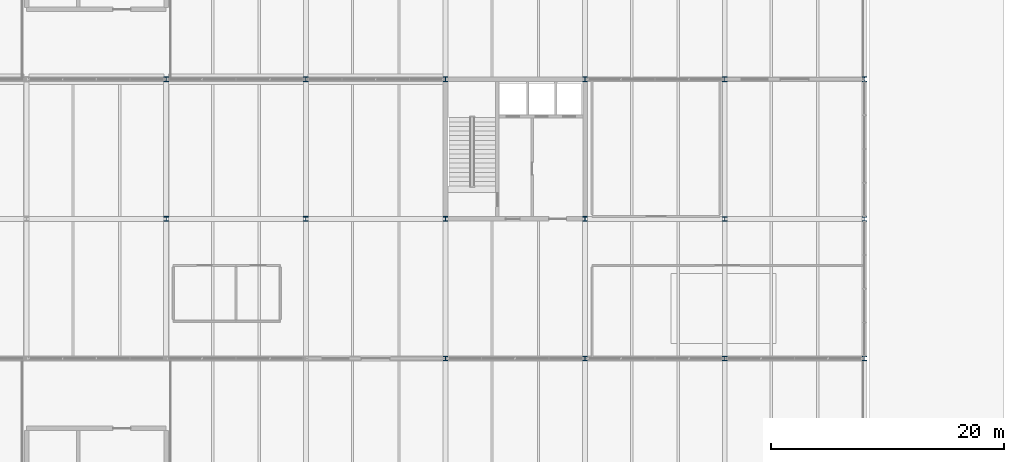
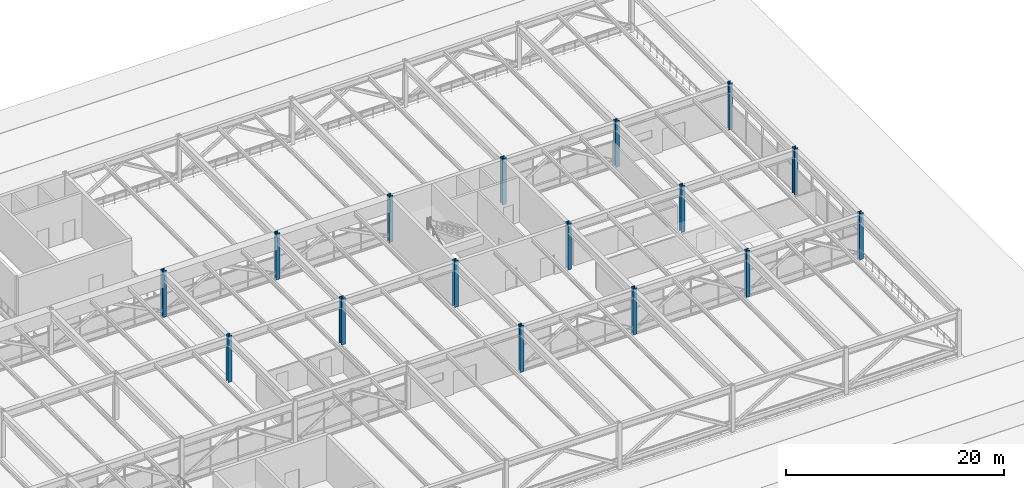
# One storey, part 3 of 42: 16 columns.
"""IFC4 building model written with IfcOpenShell, lengths in metres."""

from ifc_helpers import new_model, si_unit, direction, frame, origin, origin_2d, place, context, subcontext, project, spatial, i_section, extrude, material, material_profile, profile_set, type_object, element, save


model = new_model("IFC4")

# Units and contexts
model_context = context("Model", 3, precision=1e-05, world=origin(), true_north=direction((0.0, 1.0)))
body_context = subcontext(model_context, "Body", "Model", "MODEL_VIEW")
ifc_project = project(units=[si_unit("LENGTHUNIT", "METRE"), si_unit("AREAUNIT", "SQUARE_METRE"), si_unit("VOLUMEUNIT", "CUBIC_METRE"), si_unit("PLANEANGLEUNIT", "RADIAN"), si_unit("MASSUNIT", "GRAM", prefix="KILO")], contexts=[model_context])

# Site, building, storey
site_placement = place(None, origin())
site = spatial("IfcSite", under=ifc_project, at=site_placement, CompositionType="ELEMENT")
building_placement = place(site_placement, origin())
building = spatial("IfcBuilding", under=site, at=building_placement, Name="Girod Span Mobility Hub", CompositionType="ELEMENT")
storey_placement = place(building_placement, frame((0.0, 0.0, 32.39990234375)))
storey = spatial("IfcBuildingStorey", under=building, at=storey_placement, Name="L08", CompositionType="ELEMENT", Elevation=32.39990234375)

# Columns
ifc_material_1 = material(Name="Steel A992 Grade 50", Category="steel")
ifc_material_profile_1 = material_profile(ifc_material_1, i_section(OverallWidth=0.39892578125, OverallDepth=0.39306640625, WebThickness=0.022705078125, FlangeThickness=0.03662109375, FilletRadius=0.01806640625, at=origin_2d()), Name="W14X193")
ifc_profile_set_1 = profile_set([ifc_material_profile_1], Name="Steel A992 Grade 50")
column_type_1 = type_object("IfcColumnType", Name="COL-STL-W14X193", PredefinedType="COLUMN", material=ifc_profile_set_1)
for number, where, z_axis, x_axis, name in (
    (1, (132.0, 45.0, 0.0), (0.0, 0.0, 1.0), (1.0, 0.0, 0.0), "Column 12D L08"),
    (2, (132.0, 57.0, 0.0), (0.0, 0.0, 1.0), (1.0, 0.0, 0.0), "Column 12E L08"),
    (3, (132.0, 69.0, 0.0), (0.0, 0.0, 1.0), (1.0, 0.0, 0.0), "Column 12F L08"),
    (4, (144.0, 45.0, 0.0), (0.0, 0.0, 1.0), (1.0, 0.0, 0.0), "Column 13D L08"),
    (5, (144.0, 57.0, 0.0), (0.0, 0.0, 1.0), (1.0, 0.0, 0.0), "Column 13E L08"),
    (6, (144.0, 69.0, 0.0), (0.0, 0.0, 1.0), (1.0, 0.0, 0.0), "Column 13F L08"),
):
    element("IfcColumn", number, at=place(storey_placement, frame(where, z_axis=z_axis, x_axis=x_axis)), inside=storey, type_object=column_type_1, Name=name, PredefinedType="COLUMN", context=body_context, shape_type="SweptSolid", body=[
        extrude(i_section(OverallWidth=0.39892578125, OverallDepth=0.39306640625, WebThickness=0.022705078125, FlangeThickness=0.03662109375, FilletRadius=0.01806640625, at=origin_2d()), origin(), (0.0, 0.0, 1.0), 5.2001953125),
    ])
ifc_material_2 = material(Name="Steel A992 Grade 50", Category="steel")
ifc_material_profile_2 = material_profile(ifc_material_2, i_section(OverallWidth=0.406005859375, OverallDepth=0.416015625, WebThickness=0.02978515625, FlangeThickness=0.048095703125, FilletRadius=0.01806640625, at=origin_2d()), Name="W14X257")
ifc_profile_set_2 = profile_set([ifc_material_profile_2], Name="Steel A992 Grade 50")
column_type_2 = type_object("IfcColumnType", Name="COL-STL-W14X257", PredefinedType="COLUMN", material=ifc_profile_set_2)
for number, where, z_axis, x_axis, name in (
    (7, (84.0, 57.0, 0.0), (0.0, 0.0, 1.0), (1.0, 0.0, 0.0), "Column 8E L08"),
    (8, (84.0, 69.0, 0.0), (0.0, 0.0, 1.0), (1.0, 0.0, 0.0), "Column 8F L08"),
    (9, (96.0, 57.0, 0.0), (0.0, 0.0, 1.0), (1.0, 0.0, 0.0), "Column 9E L08"),
    (10, (96.0, 69.0, 0.0), (0.0, 0.0, 1.0), (1.0, 0.0, 0.0), "Column 9F L08"),
    (11, (108.0, 45.0, 0.0), (0.0, 0.0, 1.0), (1.0, 0.0, 0.0), "Column 10D L08"),
    (12, (108.0, 57.0, 0.0), (0.0, 0.0, 1.0), (1.0, 0.0, 0.0), "Column 10E L08"),
    (13, (108.0, 69.0, 0.0), (0.0, 0.0, 1.0), (1.0, 0.0, 0.0), "Column 10F L08"),
    (14, (120.0, 45.0, 0.0), (0.0, 0.0, 1.0), (1.0, 0.0, 0.0), "Column 11D L08"),
    (15, (120.0, 57.0, 0.0), (0.0, 0.0, 1.0), (1.0, 0.0, 0.0), "Column 11E L08"),
    (16, (120.0, 69.0, 0.0), (0.0, 0.0, 1.0), (1.0, 0.0, 0.0), "Column 11F L08"),
):
    element("IfcColumn", number, at=place(storey_placement, frame(where, z_axis=z_axis, x_axis=x_axis)), inside=storey, type_object=column_type_2, Name=name, PredefinedType="COLUMN", context=body_context, shape_type="SweptSolid", body=[
        extrude(i_section(OverallWidth=0.406005859375, OverallDepth=0.416015625, WebThickness=0.02978515625, FlangeThickness=0.048095703125, FilletRadius=0.01806640625, at=origin_2d()), origin(), (0.0, 0.0, 1.0), 5.2001953125),
    ])

save(model, "model.ifc")
